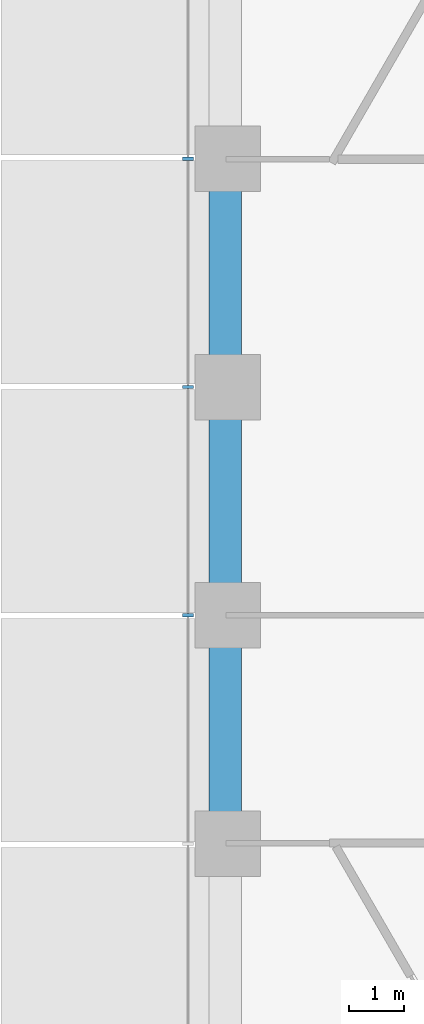
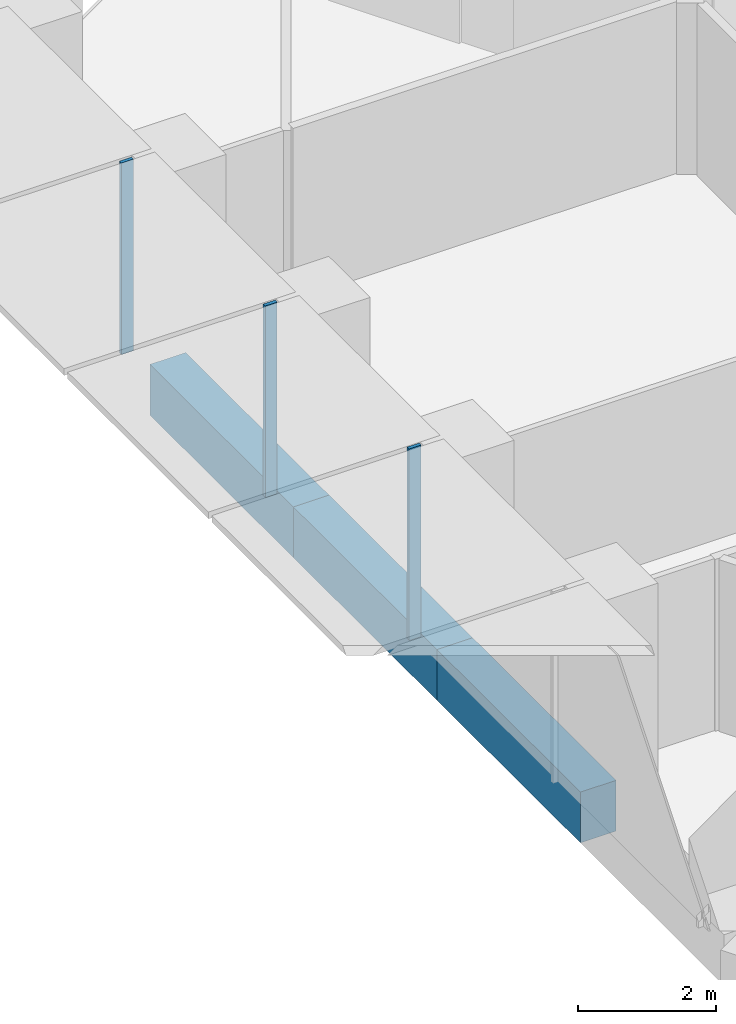
# One storey, part 3 of 19: 3 beams, 3 members, 1 element without a shape of its own.
"""IFC4 building model written with IfcOpenShell, lengths in metres."""

import ifcopenshell
import ifcopenshell.guid

model = None  # the IFC model being written
_history = None  # IfcOwnerHistory: only IFC2X3 demands one
_inside = {}  # id of a spatial element -> (the spatial element, [elements in it])
_under = {}  # id of a project, library or spatial element -> (it, [spatial elements below it])
_declared = {}  # id of a project -> (the project, [libraries it declares])
_typed = {}  # id of a type object -> (the type object, [elements of that type])
_made_of = {}  # id of a material, layer set ... -> (it, [elements and type objects made of it])


def new_model(schema):
    """Start an empty IFC model of exactly this schema.

    Asked for "IFC4X3", IfcOpenShell would pick the latest addendum, in which some entities
    have other attributes; the version numbers below select the first issue.
    IFC2X3 requires an IfcOwnerHistory on every rooted entity: one is made here for all.
    """
    global model, _history
    if schema == "IFC4X3":
        model = ifcopenshell.file(schema_version=(4, 3, 0, 0))
    else:
        model = ifcopenshell.file(schema=schema)
    _inside.clear()
    _under.clear()
    _declared.clear()
    _typed.clear()
    _made_of.clear()
    _history = None
    if model.schema == "IFC2X3":
        org = make("IfcOrganization", Name="unknown")
        user = make(
            "IfcPersonAndOrganization",
            ThePerson=make("IfcPerson", FamilyName="unknown"),
            TheOrganization=org,
        )
        app = make(
            "IfcApplication",
            ApplicationDeveloper=org,
            Version="unknown",
            ApplicationFullName="unknown",
            ApplicationIdentifier="unknown",
        )
        _history = make(
            "IfcOwnerHistory",
            OwningUser=user,
            OwningApplication=app,
            ChangeAction="ADDED",
            CreationDate=0,
        )
    return model


def make(cls, **values):
    """One entity of the class cls with the attributes given. An attribute that is None is left unset."""
    return model.create_entity(
        cls, **{name: value for name, value in values.items() if value is not None}
    )


def rooted(cls, **values):
    """An entity with a GlobalId (a new one), such as an element, a storey or a relation."""
    return make(cls, GlobalId=ifcopenshell.guid.new(), OwnerHistory=_history, **values)


def si_unit(unit_type, name, prefix=None):
    """IfcSIUnit, for example si_unit("LENGTHUNIT", "METRE", prefix="MILLI")."""
    return make("IfcSIUnit", UnitType=unit_type, Prefix=prefix, Name=name)


def assignment(units):
    """IfcUnitAssignment: the units of a project."""
    return None if units is None else make("IfcUnitAssignment", Units=units)


def point(xyz):
    """IfcCartesianPoint."""
    return None if xyz is None else make("IfcCartesianPoint", Coordinates=xyz)


def direction(xyz):
    """IfcDirection."""
    return None if xyz is None else make("IfcDirection", DirectionRatios=xyz)


def frame(location, z_axis=None, x_axis=None):
    """IfcAxis2Placement3D, a coordinate frame: its origin and axes. An axis left out is left unset."""
    return make(
        "IfcAxis2Placement3D",
        Location=point(location),
        Axis=direction(z_axis),
        RefDirection=direction(x_axis),
    )


def frame_2d(location, x_axis=None):
    """IfcAxis2Placement2D, a coordinate frame in the plane: its origin and x axis."""
    return make(
        "IfcAxis2Placement2D", Location=point(location), RefDirection=direction(x_axis)
    )


def origin():
    """The frame at (0, 0, 0) with its axes left unset."""
    return frame((0.0, 0.0, 0.0))


def origin_2d():
    """The frame at (0, 0) in the plane with its x axis left unset."""
    return frame_2d((0.0, 0.0))


def place(relative_to, where):
    """IfcLocalPlacement: puts the frame where relative to a parent placement (None: the world)."""
    return make(
        "IfcLocalPlacement", PlacementRelTo=relative_to, RelativePlacement=where
    )


def context(
    kind, dimensions, precision=None, world=None, true_north=None, identifier=None
):
    """IfcGeometricRepresentationContext, for example the 3D "Model" context."""
    return make(
        "IfcGeometricRepresentationContext",
        ContextIdentifier=identifier,
        ContextType=kind,
        CoordinateSpaceDimension=dimensions,
        Precision=precision,
        WorldCoordinateSystem=world,
        TrueNorth=true_north,
    )


def subcontext(parent, identifier, kind, view, scale=None):
    """IfcGeometricRepresentationSubContext, for example "Body" below "Model"."""
    return make(
        "IfcGeometricRepresentationSubContext",
        ContextIdentifier=identifier,
        ContextType=kind,
        ParentContext=parent,
        TargetScale=scale,
        TargetView=view,
    )


def project(units=None, contexts=None):
    """IfcProject with its units and contexts."""
    return rooted(
        "IfcProject",
        Name="project",
        RepresentationContexts=contexts,
        UnitsInContext=assignment(units),
    )


def spatial(cls, under=None, at=None, **own):
    """A site, building, storey or space (cls), placed at a placement, below another one or the project."""
    s = rooted(cls, ObjectPlacement=at, **own)
    if under is not None:
        _under.setdefault(under.id(), (under, []))[1].append(s)
    return s


def profile(cls, at=None, kind="AREA", **sizes):
    """A parametric profile (cls). Its sizes go by their IFC names, for example OverallWidth=200.0."""
    return make(cls, ProfileType=kind, Position=at, **sizes)


def rectangle(**sizes):
    """IfcRectangleProfileDef."""
    return profile("IfcRectangleProfileDef", **sizes)


def extrude(swept, where, along, depth):
    """IfcExtrudedAreaSolid: the profile swept, set in the frame where, extruded along a direction by depth."""
    return make(
        "IfcExtrudedAreaSolid",
        SweptArea=swept,
        Position=where,
        ExtrudedDirection=direction(along),
        Depth=depth,
    )


def shape(context_of_items, identifier, shape_type, items):
    """IfcShapeRepresentation: the items that make up one representation, for example the "Body"."""
    return make(
        "IfcShapeRepresentation",
        ContextOfItems=context_of_items,
        RepresentationIdentifier=identifier,
        RepresentationType=shape_type,
        Items=items,
    )


def material(Name=None, Category=None):
    """IfcMaterial."""
    return make("IfcMaterial", Name=Name, Category=Category)


def layer(
    of_material, thickness, ventilated=None, Name=None, Category=None, Priority=None
):
    """IfcMaterialLayer: one layer of a wall or slab, of a material (None: an air gap)."""
    return make(
        "IfcMaterialLayer",
        Material=of_material,
        LayerThickness=thickness,
        IsVentilated=ventilated,
        Name=Name,
        Category=Category,
        Priority=Priority,
    )


def layer_set(layers, Name=None):
    """IfcMaterialLayerSet."""
    return make("IfcMaterialLayerSet", MaterialLayers=layers, LayerSetName=Name)


def material_profile(
    of_material, cross_section, Name=None, Category=None, Priority=None
):
    """IfcMaterialProfile: a cross section and its material."""
    return make(
        "IfcMaterialProfile",
        Name=Name,
        Material=of_material,
        Profile=cross_section,
        Priority=Priority,
        Category=Category,
    )


def profile_set(profiles, Name=None, composite=None):
    """IfcMaterialProfileSet."""
    return make(
        "IfcMaterialProfileSet",
        Name=Name,
        MaterialProfiles=profiles,
        CompositeProfile=composite,
    )


def made_of(thing, what):
    """Note that an element or type object is made of a material, layer set ...; save() writes the relation."""
    if what is not None:
        _made_of.setdefault(what.id(), (what, []))[1].append(thing)
    return thing


def type_object(cls, material=None, **own):
    """A type object (cls), such as IfcWallType, which elements share."""
    return made_of(rooted(cls, **own), material)


def element(
    cls,
    number,
    at=None,
    inside=None,
    cuts=None,
    type_object=None,
    material=None,
    context=None,
    identifier="Body",
    shape_type=None,
    held_by="IfcProductDefinitionShape",
    body=None,
    shapes=None,
    **own,
):
    """One element of the class cls, such as IfcWall. Its Tag is "e" and its number.

    at: its placement. inside: the storey or other place that contains it. cuts: it is an
    opening in that element (IfcRelVoidsElement). A single representation is given by context,
    identifier, shape_type and body (its items); several are given by shapes. held_by: the class
    of the entity that holds the representations. save() writes the other relations.
    """
    e = rooted(cls, Tag="e%d" % number, ObjectPlacement=at, **own)
    if body is not None:
        shapes = [shape(context, identifier, shape_type, body)]
    if shapes is not None:
        e.Representation = make(held_by, Representations=shapes)
    if inside is not None:
        _inside.setdefault(inside.id(), (inside, []))[1].append(e)
    if cuts is not None:
        rooted(
            "IfcRelVoidsElement", RelatingBuildingElement=cuts, RelatedOpeningElement=e
        )
    if type_object is not None:
        _typed.setdefault(type_object.id(), (type_object, []))[1].append(e)
    return made_of(e, material)


def aggregate(whole, parts):
    """IfcRelAggregates: a whole, such as a stair, and the parts it consists of."""
    return rooted("IfcRelAggregates", RelatingObject=whole, RelatedObjects=parts)


def save(model, path):
    """Write the relations noted so far, then the file.

    IfcRelAggregates (storeys below a building ...), IfcRelContainedInSpatialStructure (elements
    in a storey), IfcRelDefinesByType, IfcRelAssociatesMaterial and IfcRelDeclares: one each for
    every whole, place, type object, material and project.
    """
    for whole, parts in _under.values():
        aggregate(whole, parts)
    for where, things in _inside.values():
        rooted(
            "IfcRelContainedInSpatialStructure",
            RelatedElements=things,
            RelatingStructure=where,
        )
    for kind, things in _typed.values():
        rooted("IfcRelDefinesByType", RelatedObjects=things, RelatingType=kind)
    for what, things in _made_of.values():
        rooted("IfcRelAssociatesMaterial", RelatedObjects=things, RelatingMaterial=what)
    for by, libraries in _declared.values():
        rooted("IfcRelDeclares", RelatingContext=by, RelatedDefinitions=libraries)
    model.write(path)


model = new_model("IFC4")

# Units and contexts
model_context = context("Model", 3, precision=1e-05, world=origin(), true_north=direction((0.0, 1.0)))
body_context = subcontext(model_context, "Body", "Model", "MODEL_VIEW")
ifc_project = project(units=[si_unit("LENGTHUNIT", "METRE"), si_unit("AREAUNIT", "SQUARE_METRE"), si_unit("VOLUMEUNIT", "CUBIC_METRE"), si_unit("PLANEANGLEUNIT", "RADIAN"), si_unit("MASSUNIT", "GRAM", prefix="KILO")], contexts=[model_context])

# Site, building, storey
site_placement = place(None, origin())
site = spatial("IfcSite", under=ifc_project, at=site_placement, CompositionType="ELEMENT")
building_placement = place(site_placement, origin())
building = spatial("IfcBuilding", under=site, at=building_placement, Name="Ayvan Gate Tower", CompositionType="ELEMENT")
storey_placement = place(building_placement, frame((0.0, 0.0, 42.5)))
storey = spatial("IfcBuildingStorey", under=building, at=storey_placement, Name="L10", CompositionType="ELEMENT", Elevation=42.5)

# Beams
ifc_material_1 = material(Name="Concrete C40/50", Category="concrete")
ifc_material_profile_1 = material_profile(ifc_material_1, rectangle(XDim=0.60009765625, YDim=0.89990234375, at=origin_2d()), Name="RC 600x900")
ifc_profile_set_1 = profile_set([ifc_material_profile_1], Name="Concrete C40/50")
beam_type = type_object("IfcBeamType", Name="Spandrel beam RC 600x900 C40/50", PredefinedType="BEAM", material=ifc_profile_set_1)
beam_1_placement = place(storey_placement, frame((-20.501953125, 6.2587890625, -0.800048828125), z_axis=(0.0, -1.0, 0.0), x_axis=(1.0, 0.0, 0.0)))
element("IfcBeam", 1, at=beam_1_placement, inside=storey, type_object=beam_type, Name="SB-L10-20", PredefinedType="BEAM", context=body_context, shape_type="SweptSolid", body=[
    extrude(rectangle(XDim=0.60009765625, YDim=0.89990234375, at=origin_2d()), origin(), (0.0, 0.0, 1.0), 4.172607421875),
])
beam_2_placement = place(storey_placement, frame((-20.501953125, 2.086181640625, -0.800048828125), z_axis=(0.0, -1.0, 0.0), x_axis=(1.0, 0.0, 0.0)))
element("IfcBeam", 2, at=beam_2_placement, inside=storey, type_object=beam_type, Name="SB-L10-21", PredefinedType="BEAM", context=body_context, shape_type="SweptSolid", body=[
    extrude(rectangle(XDim=0.60009765625, YDim=0.89990234375, at=origin_2d()), origin(), (0.0, 0.0, 1.0), 4.17236328125),
])
beam_3_placement = place(storey_placement, frame((-20.501953125, -2.086181640625, -0.800048828125), z_axis=(0.0, -1.0, 0.0), x_axis=(1.0, 0.0, 0.0)))
element("IfcBeam", 3, at=beam_3_placement, inside=storey, type_object=beam_type, Name="SB-L10-22", PredefinedType="BEAM", context=body_context, shape_type="SweptSolid", body=[
    extrude(rectangle(XDim=0.60009765625, YDim=0.89990234375, at=origin_2d()), origin(), (0.0, 0.0, 1.0), 4.172607421875),
])

# Curtain wall, members
ifc_material_2 = material(Name="Bronze anodised aluminium", Category="aluminium")
ifc_layer = layer(ifc_material_2, 0.199951171875)
ifc_layer_set = layer_set([ifc_layer], Name="Bronze anodised aluminium")
curtain_wall_type = type_object("IfcCurtainWallType", Name="Stick curtain wall CW-1", PredefinedType="NOTDEFINED", material=ifc_layer_set)
curtain_wall_placement = place(storey_placement, origin())
curtain_wall = element("IfcCurtainWall", 4, at=curtain_wall_placement, inside=storey, type_object=curtain_wall_type, Name="Stick curtain wall CW-1 L10", PredefinedType="NOTDEFINED")
ifc_material_profile_2 = material_profile(ifc_material_2, rectangle(XDim=0.199951171875, YDim=0.06005859375, at=origin_2d()), Name="Stick curtain wall CW-1 mullion 200 x 60")
ifc_profile_set_2 = profile_set([ifc_material_profile_2], Name="Bronze anodised aluminium")
member_type = type_object("IfcMemberType", Name="Stick curtain wall CW-1 mullion 200 x 60", PredefinedType="MULLION", material=ifc_profile_set_2)
member_1_placement = place(storey_placement, frame((-21.18798828125, 6.2734375, 0.0), z_axis=(0.0, 0.0, 1.0), x_axis=(-1.0, 0.0, 0.0)))
member_1 = element("IfcMember", 5, at=member_1_placement, type_object=member_type, Name="CW-1 mullion 2", PredefinedType="MULLION", context=body_context, shape_type="SweptSolid", body=[
    extrude(rectangle(XDim=0.199951171875, YDim=0.06005859375, at=origin_2d()), origin(), (0.0, 0.0, 1.0), 3.39990234375),
])
member_2_placement = place(storey_placement, frame((-21.18798828125, 2.09130859375, 0.0), z_axis=(0.0, 0.0, 1.0), x_axis=(-1.0, 0.0, 0.0)))
member_2 = element("IfcMember", 6, at=member_2_placement, type_object=member_type, Name="CW-1 mullion 3", PredefinedType="MULLION", context=body_context, shape_type="SweptSolid", body=[
    extrude(rectangle(XDim=0.199951171875, YDim=0.06005859375, at=origin_2d()), origin(), (0.0, 0.0, 1.0), 3.39990234375),
])
member_3_placement = place(storey_placement, frame((-21.18798828125, -2.091552734375, 0.0), z_axis=(0.0, 0.0, 1.0), x_axis=(-1.0, 0.0, 0.0)))
member_3 = element("IfcMember", 7, at=member_3_placement, type_object=member_type, Name="CW-1 mullion 4", PredefinedType="MULLION", context=body_context, shape_type="SweptSolid", body=[
    extrude(rectangle(XDim=0.199951171875, YDim=0.06005859375, at=origin_2d()), origin(), (0.0, 0.0, 1.0), 3.39990234375),
])
aggregate(curtain_wall, [member_1, member_2, member_3])

save(model, "model.ifc")
